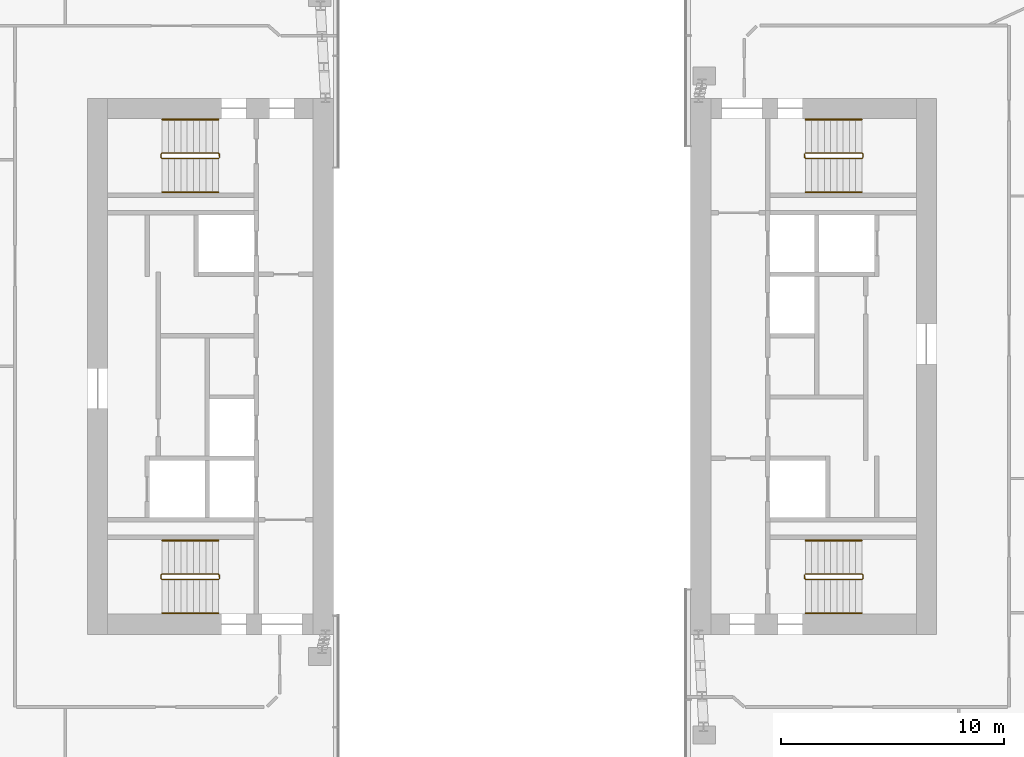
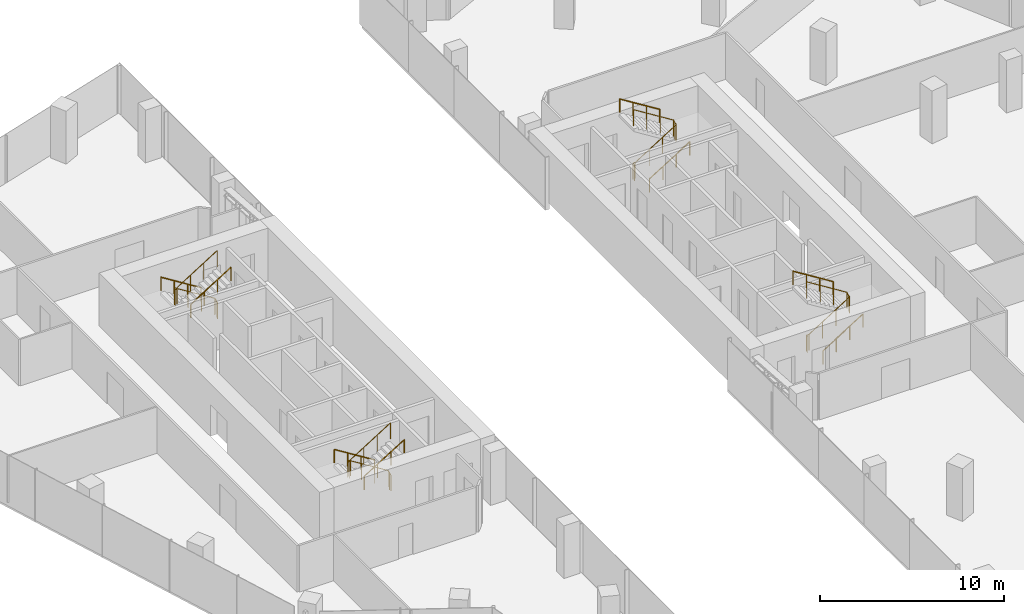
# One storey, part 22 of 23: 12 railings.
"""IFC4 building model written with IfcOpenShell, lengths in metres."""

from ifc_helpers import new_model, si_unit, direction, frame, origin, origin_2d, place, context, subcontext, project, spatial, circle, extrude, material, type_object, element, save


model = new_model("IFC4")

# Units and contexts
model_context = context("Model", 3, precision=1e-05, world=origin(), true_north=direction((0.0, 1.0)))
body_context = subcontext(model_context, "Body", "Model", "MODEL_VIEW")
ifc_project = project(units=[si_unit("LENGTHUNIT", "METRE"), si_unit("AREAUNIT", "SQUARE_METRE"), si_unit("VOLUMEUNIT", "CUBIC_METRE"), si_unit("PLANEANGLEUNIT", "RADIAN"), si_unit("MASSUNIT", "GRAM", prefix="KILO")], contexts=[model_context])

# Site, building, storey
site_placement = place(None, origin())
site = spatial("IfcSite", under=ifc_project, at=site_placement, CompositionType="ELEMENT")
building_placement = place(site_placement, origin())
building = spatial("IfcBuilding", under=site, at=building_placement, Name="Orlundy Tower", CompositionType="ELEMENT")
storey_placement = place(building_placement, frame((0.0, 0.0, 264.0)))
storey = spatial("IfcBuildingStorey", under=building, at=storey_placement, Name="L70", CompositionType="ELEMENT", Elevation=264.0)

# Railings
ifc_material_1 = material(Name="Steel balustrade", Category="steel")
railing_type_1 = type_object("IfcRailingType", Name="Stair Guard 1100", PredefinedType="GUARDRAIL", material=ifc_material_1)
railing_1_placement = place(storey_placement, frame((-13.090087890625, 9.5, 0.0)))
element("IfcRailing", 1, at=railing_1_placement, inside=storey, type_object=railing_type_1, Name="L70 ST-W1 stair guard 1", PredefinedType="GUARDRAIL", context=body_context, shape_type="SweptSolid", body=[
    extrude(circle(Radius=0.02392578125, at=origin_2d()), frame((0.0, 0.0, 1.076171875), z_axis=(0.0, -1.0, 0.0), x_axis=(1.0, 0.0, 0.0)), (0.0, 0.0, 1.0), 0.14990234375),
    extrude(circle(Radius=0.02392578125, at=origin_2d()), frame((0.0, -0.14990234375, 1.076171875), z_axis=(-0.18420542264, 0.739530593833, 0.647427882513), x_axis=(-0.970351222016, -0.241699205484, 0.0)), (0.0, 0.0, 1.0), 0.270263671875),
    extrude(circle(Radius=0.02392578125, at=origin_2d()), frame((-0.0498046875, 0.050048828125, 1.2509765625), z_axis=(-0.848007534815, 0.0, 0.529984170421), x_axis=(0.0, -1.0, 0.0)), (0.0, 0.0, 1.0), 2.9716796875),
    extrude(circle(Radius=0.02392578125, at=origin_2d()), frame((-2.56982421875, 0.050048828125, 2.826171875), z_axis=(-0.707106781187, -0.707106781187, 0.0), x_axis=(0.707106781187, -0.707106781187, 0.0)), (0.0, 0.0, 1.0), 0.07080078125),
    extrude(circle(Radius=0.02392578125, at=origin_2d()), frame((-2.619873046875, 0.0, 2.826171875), z_axis=(0.0, -1.0, 0.0), x_axis=(1.0, 0.0, 0.0)), (0.0, 0.0, 1.0), 0.14990234375),
    extrude(circle(Radius=0.02392578125, at=origin_2d()), frame((-2.619873046875, -0.14990234375, 2.826171875), z_axis=(0.265065253269, -0.265065253269, 0.927081885822), x_axis=(0.707106781187, 0.707106781187, 0.0)), (0.0, 0.0, 1.0), 0.188720703125),
    extrude(circle(Radius=0.02392578125, at=origin_2d()), frame((-2.56982421875, -0.199951171875, 3.0009765625), z_axis=(0.848007534815, 0.0, 0.529984170421), x_axis=(0.0, 1.0, 0.0)), (0.0, 0.0, 1.0), 2.9716796875),
    extrude(circle(Radius=0.02099609375, at=origin_2d()), origin(), (0.0, 0.0, 1.0), 1.052001953125),
    extrude(circle(Radius=0.02099609375, at=origin_2d()), frame((0.0, -0.14990234375, 0.0)), (0.0, 0.0, 1.0), 1.052001953125),
    extrude(circle(Radius=0.02099609375, at=origin_2d()), frame((-0.0498046875, 0.050048828125, 0.175048828125)), (0.0, 0.0, 1.0), 1.052001953125),
    extrude(circle(Radius=0.02099609375, at=origin_2d()), frame((-0.889892578125, 0.050048828125, 0.699951171875)), (0.0, 0.0, 1.0), 1.052001953125),
    extrude(circle(Radius=0.02099609375, at=origin_2d()), frame((-1.729736328125, 0.050048828125, 1.22509765625)), (0.0, 0.0, 1.0), 1.052001953125),
    extrude(circle(Radius=0.02099609375, at=origin_2d()), frame((-2.56982421875, 0.050048828125, 1.75)), (0.0, 0.0, 1.0), 1.052001953125),
    extrude(circle(Radius=0.02099609375, at=origin_2d()), frame((-2.619873046875, 0.0, 1.75)), (0.0, 0.0, 1.0), 1.052001953125),
    extrude(circle(Radius=0.02099609375, at=origin_2d()), frame((-2.619873046875, -0.14990234375, 1.75)), (0.0, 0.0, 1.0), 1.052001953125),
    extrude(circle(Radius=0.02099609375, at=origin_2d()), frame((-2.56982421875, -0.199951171875, 1.925048828125)), (0.0, 0.0, 1.0), 1.052001953125),
    extrude(circle(Radius=0.02099609375, at=origin_2d()), frame((-1.729736328125, -0.199951171875, 2.449951171875)), (0.0, 0.0, 1.0), 1.052001953125),
    extrude(circle(Radius=0.02099609375, at=origin_2d()), frame((-0.889892578125, -0.199951171875, 2.97509765625)), (0.0, 0.0, 1.0), 1.052001953125),
    extrude(circle(Radius=0.02099609375, at=origin_2d()), frame((-0.0498046875, -0.199951171875, 3.5)), (0.0, 0.0, 1.0), 1.052001953125),
])
railing_2_placement = place(storey_placement, frame((-13.090087890625, -9.35009765625, 0.0)))
element("IfcRailing", 2, at=railing_2_placement, inside=storey, type_object=railing_type_1, Name="L70 ST-W2 stair guard 1", PredefinedType="GUARDRAIL", context=body_context, shape_type="SweptSolid", body=[
    extrude(circle(Radius=0.02392578125, at=origin_2d()), frame((0.0, 0.0, 1.076171875), z_axis=(0.0, -1.0, 0.0), x_axis=(1.0, 0.0, 0.0)), (0.0, 0.0, 1.0), 0.14990234375),
    extrude(circle(Radius=0.02392578125, at=origin_2d()), frame((0.0, -0.14990234375, 1.076171875), z_axis=(-0.18420542264, 0.739530593833, 0.647427882513), x_axis=(-0.970351222016, -0.241699205484, 0.0)), (0.0, 0.0, 1.0), 0.270263671875),
    extrude(circle(Radius=0.02392578125, at=origin_2d()), frame((-0.0498046875, 0.050048828125, 1.2509765625), z_axis=(-0.848007534815, 0.0, 0.529984170421), x_axis=(0.0, -1.0, 0.0)), (0.0, 0.0, 1.0), 2.9716796875),
    extrude(circle(Radius=0.02392578125, at=origin_2d()), frame((-2.56982421875, 0.050048828125, 2.826171875), z_axis=(-0.707106781187, -0.707106781187, 0.0), x_axis=(0.707106781187, -0.707106781187, 0.0)), (0.0, 0.0, 1.0), 0.07080078125),
    extrude(circle(Radius=0.02392578125, at=origin_2d()), frame((-2.619873046875, 0.0, 2.826171875), z_axis=(0.0, -1.0, 0.0), x_axis=(1.0, 0.0, 0.0)), (0.0, 0.0, 1.0), 0.14990234375),
    extrude(circle(Radius=0.02392578125, at=origin_2d()), frame((-2.619873046875, -0.14990234375, 2.826171875), z_axis=(0.265065253269, -0.265065253269, 0.927081885822), x_axis=(0.707106781187, 0.707106781187, 0.0)), (0.0, 0.0, 1.0), 0.188720703125),
    extrude(circle(Radius=0.02392578125, at=origin_2d()), frame((-2.56982421875, -0.199951171875, 3.0009765625), z_axis=(0.848007534815, 0.0, 0.529984170421), x_axis=(0.0, 1.0, 0.0)), (0.0, 0.0, 1.0), 2.9716796875),
    extrude(circle(Radius=0.02099609375, at=origin_2d()), origin(), (0.0, 0.0, 1.0), 1.052001953125),
    extrude(circle(Radius=0.02099609375, at=origin_2d()), frame((0.0, -0.14990234375, 0.0)), (0.0, 0.0, 1.0), 1.052001953125),
    extrude(circle(Radius=0.02099609375, at=origin_2d()), frame((-0.0498046875, 0.050048828125, 0.175048828125)), (0.0, 0.0, 1.0), 1.052001953125),
    extrude(circle(Radius=0.02099609375, at=origin_2d()), frame((-0.889892578125, 0.050048828125, 0.699951171875)), (0.0, 0.0, 1.0), 1.052001953125),
    extrude(circle(Radius=0.02099609375, at=origin_2d()), frame((-1.729736328125, 0.050048828125, 1.22509765625)), (0.0, 0.0, 1.0), 1.052001953125),
    extrude(circle(Radius=0.02099609375, at=origin_2d()), frame((-2.56982421875, 0.050048828125, 1.75)), (0.0, 0.0, 1.0), 1.052001953125),
    extrude(circle(Radius=0.02099609375, at=origin_2d()), frame((-2.619873046875, 0.0, 1.75)), (0.0, 0.0, 1.0), 1.052001953125),
    extrude(circle(Radius=0.02099609375, at=origin_2d()), frame((-2.619873046875, -0.14990234375, 1.75)), (0.0, 0.0, 1.0), 1.052001953125),
    extrude(circle(Radius=0.02099609375, at=origin_2d()), frame((-2.56982421875, -0.199951171875, 1.925048828125)), (0.0, 0.0, 1.0), 1.052001953125),
    extrude(circle(Radius=0.02099609375, at=origin_2d()), frame((-1.729736328125, -0.199951171875, 2.449951171875)), (0.0, 0.0, 1.0), 1.052001953125),
    extrude(circle(Radius=0.02099609375, at=origin_2d()), frame((-0.889892578125, -0.199951171875, 2.97509765625)), (0.0, 0.0, 1.0), 1.052001953125),
    extrude(circle(Radius=0.02099609375, at=origin_2d()), frame((-0.0498046875, -0.199951171875, 3.5)), (0.0, 0.0, 1.0), 1.052001953125),
])
railing_3_placement = place(storey_placement, frame((13.090087890625, -9.5, 0.0)))
element("IfcRailing", 3, at=railing_3_placement, inside=storey, type_object=railing_type_1, Name="L70 ST-E1 stair guard 1", PredefinedType="GUARDRAIL", context=body_context, shape_type="SweptSolid", body=[
    extrude(circle(Radius=0.02392578125, at=origin_2d()), frame((0.0, 0.0, 1.076171875), z_axis=(0.0, 1.0, 0.0), x_axis=(-1.0, 0.0, 0.0)), (0.0, 0.0, 1.0), 0.14990234375),
    extrude(circle(Radius=0.02392578125, at=origin_2d()), frame((0.0, 0.14990234375, 1.076171875), z_axis=(0.18420542264, -0.739530593833, 0.647427882513), x_axis=(0.970351222016, 0.241699205484, 0.0)), (0.0, 0.0, 1.0), 0.270263671875),
    extrude(circle(Radius=0.02392578125, at=origin_2d()), frame((0.0498046875, -0.050048828125, 1.2509765625), z_axis=(0.848007534815, 0.0, 0.529984170421), x_axis=(0.0, 1.0, 0.0)), (0.0, 0.0, 1.0), 2.9716796875),
    extrude(circle(Radius=0.02392578125, at=origin_2d()), frame((2.56982421875, -0.050048828125, 2.826171875), z_axis=(0.707106781187, 0.707106781187, 0.0), x_axis=(-0.707106781187, 0.707106781187, 0.0)), (0.0, 0.0, 1.0), 0.07080078125),
    extrude(circle(Radius=0.02392578125, at=origin_2d()), frame((2.619873046875, 0.0, 2.826171875), z_axis=(0.0, 1.0, 0.0), x_axis=(-1.0, 0.0, 0.0)), (0.0, 0.0, 1.0), 0.14990234375),
    extrude(circle(Radius=0.02392578125, at=origin_2d()), frame((2.619873046875, 0.14990234375, 2.826171875), z_axis=(-0.265065253269, 0.265065253269, 0.927081885822), x_axis=(-0.707106781187, -0.707106781187, 0.0)), (0.0, 0.0, 1.0), 0.188720703125),
    extrude(circle(Radius=0.02392578125, at=origin_2d()), frame((2.56982421875, 0.199951171875, 3.0009765625), z_axis=(-0.848007534815, 0.0, 0.529984170421), x_axis=(0.0, -1.0, 0.0)), (0.0, 0.0, 1.0), 2.9716796875),
    extrude(circle(Radius=0.02099609375, at=origin_2d()), origin(), (0.0, 0.0, 1.0), 1.052001953125),
    extrude(circle(Radius=0.02099609375, at=origin_2d()), frame((0.0, 0.14990234375, 0.0)), (0.0, 0.0, 1.0), 1.052001953125),
    extrude(circle(Radius=0.02099609375, at=origin_2d()), frame((0.0498046875, -0.050048828125, 0.175048828125)), (0.0, 0.0, 1.0), 1.052001953125),
    extrude(circle(Radius=0.02099609375, at=origin_2d()), frame((0.889892578125, -0.050048828125, 0.699951171875)), (0.0, 0.0, 1.0), 1.052001953125),
    extrude(circle(Radius=0.02099609375, at=origin_2d()), frame((1.729736328125, -0.050048828125, 1.22509765625)), (0.0, 0.0, 1.0), 1.052001953125),
    extrude(circle(Radius=0.02099609375, at=origin_2d()), frame((2.56982421875, -0.050048828125, 1.75)), (0.0, 0.0, 1.0), 1.052001953125),
    extrude(circle(Radius=0.02099609375, at=origin_2d()), frame((2.619873046875, 0.0, 1.75)), (0.0, 0.0, 1.0), 1.052001953125),
    extrude(circle(Radius=0.02099609375, at=origin_2d()), frame((2.619873046875, 0.14990234375, 1.75)), (0.0, 0.0, 1.0), 1.052001953125),
    extrude(circle(Radius=0.02099609375, at=origin_2d()), frame((2.56982421875, 0.199951171875, 1.925048828125)), (0.0, 0.0, 1.0), 1.052001953125),
    extrude(circle(Radius=0.02099609375, at=origin_2d()), frame((1.729736328125, 0.199951171875, 2.449951171875)), (0.0, 0.0, 1.0), 1.052001953125),
    extrude(circle(Radius=0.02099609375, at=origin_2d()), frame((0.889892578125, 0.199951171875, 2.97509765625)), (0.0, 0.0, 1.0), 1.052001953125),
    extrude(circle(Radius=0.02099609375, at=origin_2d()), frame((0.0498046875, 0.199951171875, 3.5)), (0.0, 0.0, 1.0), 1.052001953125),
])
railing_4_placement = place(storey_placement, frame((13.090087890625, 9.35009765625, 0.0)))
element("IfcRailing", 4, at=railing_4_placement, inside=storey, type_object=railing_type_1, Name="L70 ST-E2 stair guard 1", PredefinedType="GUARDRAIL", context=body_context, shape_type="SweptSolid", body=[
    extrude(circle(Radius=0.02392578125, at=origin_2d()), frame((0.0, 0.0, 1.076171875), z_axis=(0.0, 1.0, 0.0), x_axis=(-1.0, 0.0, 0.0)), (0.0, 0.0, 1.0), 0.14990234375),
    extrude(circle(Radius=0.02392578125, at=origin_2d()), frame((0.0, 0.14990234375, 1.076171875), z_axis=(0.18420542264, -0.739530593833, 0.647427882513), x_axis=(0.970351222016, 0.241699205484, 0.0)), (0.0, 0.0, 1.0), 0.270263671875),
    extrude(circle(Radius=0.02392578125, at=origin_2d()), frame((0.0498046875, -0.050048828125, 1.2509765625), z_axis=(0.848007534815, 0.0, 0.529984170421), x_axis=(0.0, 1.0, 0.0)), (0.0, 0.0, 1.0), 2.9716796875),
    extrude(circle(Radius=0.02392578125, at=origin_2d()), frame((2.56982421875, -0.050048828125, 2.826171875), z_axis=(0.707106781187, 0.707106781187, 0.0), x_axis=(-0.707106781187, 0.707106781187, 0.0)), (0.0, 0.0, 1.0), 0.07080078125),
    extrude(circle(Radius=0.02392578125, at=origin_2d()), frame((2.619873046875, 0.0, 2.826171875), z_axis=(0.0, 1.0, 0.0), x_axis=(-1.0, 0.0, 0.0)), (0.0, 0.0, 1.0), 0.14990234375),
    extrude(circle(Radius=0.02392578125, at=origin_2d()), frame((2.619873046875, 0.14990234375, 2.826171875), z_axis=(-0.265065253269, 0.265065253269, 0.927081885822), x_axis=(-0.707106781187, -0.707106781187, 0.0)), (0.0, 0.0, 1.0), 0.188720703125),
    extrude(circle(Radius=0.02392578125, at=origin_2d()), frame((2.56982421875, 0.199951171875, 3.0009765625), z_axis=(-0.848007534815, 0.0, 0.529984170421), x_axis=(0.0, -1.0, 0.0)), (0.0, 0.0, 1.0), 2.9716796875),
    extrude(circle(Radius=0.02099609375, at=origin_2d()), origin(), (0.0, 0.0, 1.0), 1.052001953125),
    extrude(circle(Radius=0.02099609375, at=origin_2d()), frame((0.0, 0.14990234375, 0.0)), (0.0, 0.0, 1.0), 1.052001953125),
    extrude(circle(Radius=0.02099609375, at=origin_2d()), frame((0.0498046875, -0.050048828125, 0.175048828125)), (0.0, 0.0, 1.0), 1.052001953125),
    extrude(circle(Radius=0.02099609375, at=origin_2d()), frame((0.889892578125, -0.050048828125, 0.699951171875)), (0.0, 0.0, 1.0), 1.052001953125),
    extrude(circle(Radius=0.02099609375, at=origin_2d()), frame((1.729736328125, -0.050048828125, 1.22509765625)), (0.0, 0.0, 1.0), 1.052001953125),
    extrude(circle(Radius=0.02099609375, at=origin_2d()), frame((2.56982421875, -0.050048828125, 1.75)), (0.0, 0.0, 1.0), 1.052001953125),
    extrude(circle(Radius=0.02099609375, at=origin_2d()), frame((2.619873046875, 0.0, 1.75)), (0.0, 0.0, 1.0), 1.052001953125),
    extrude(circle(Radius=0.02099609375, at=origin_2d()), frame((2.619873046875, 0.14990234375, 1.75)), (0.0, 0.0, 1.0), 1.052001953125),
    extrude(circle(Radius=0.02099609375, at=origin_2d()), frame((2.56982421875, 0.199951171875, 1.925048828125)), (0.0, 0.0, 1.0), 1.052001953125),
    extrude(circle(Radius=0.02099609375, at=origin_2d()), frame((1.729736328125, 0.199951171875, 2.449951171875)), (0.0, 0.0, 1.0), 1.052001953125),
    extrude(circle(Radius=0.02099609375, at=origin_2d()), frame((0.889892578125, 0.199951171875, 2.97509765625)), (0.0, 0.0, 1.0), 1.052001953125),
    extrude(circle(Radius=0.02099609375, at=origin_2d()), frame((0.0498046875, 0.199951171875, 3.5)), (0.0, 0.0, 1.0), 1.052001953125),
])
ifc_material_2 = material(Name="Steel handrail", Category="steel")
railing_type_2 = type_object("IfcRailingType", Name="Stair Handrail 900", PredefinedType="HANDRAIL", material=ifc_material_2)
railing_5_placement = place(storey_placement, frame((-13.139892578125, 11.050048828125, 0.175048828125)))
element("IfcRailing", 5, at=railing_5_placement, inside=storey, type_object=railing_type_2, Name="L70 ST-W1 stair handrail 1", PredefinedType="HANDRAIL", context=body_context, shape_type="SweptSolid", body=[
    extrude(circle(Radius=0.02392578125, at=origin_2d()), frame((0.0, 0.0, 0.8759765625), z_axis=(-0.848007534815, 0.0, 0.529984170421), x_axis=(0.0, -1.0, 0.0)), (0.0, 0.0, 1.0), 2.9716796875),
    extrude(circle(Radius=0.02099609375, at=origin_2d()), origin(), (0.0, 0.0, 1.0), 0.851806640625),
    extrude(circle(Radius=0.02099609375, at=origin_2d()), frame((-0.840087890625, 0.0, 0.52490234375)), (0.0, 0.0, 1.0), 0.851806640625),
    extrude(circle(Radius=0.02099609375, at=origin_2d()), frame((-1.679931640625, 0.0, 1.050048828125)), (0.0, 0.0, 1.0), 0.851806640625),
    extrude(circle(Radius=0.02099609375, at=origin_2d()), frame((-2.52001953125, 0.0, 1.574951171875)), (0.0, 0.0, 1.0), 0.851806640625),
])
railing_6_placement = place(storey_placement, frame((-15.659912109375, 7.800048828125, 1.925048828125)))
element("IfcRailing", 6, at=railing_6_placement, inside=storey, type_object=railing_type_2, Name="L70 ST-W1 stair handrail 2", PredefinedType="HANDRAIL", context=body_context, shape_type="SweptSolid", body=[
    extrude(circle(Radius=0.02392578125, at=origin_2d()), frame((0.0, 0.0, 0.8759765625), z_axis=(0.848007534815, 0.0, 0.529984170421), x_axis=(0.0, 1.0, 0.0)), (0.0, 0.0, 1.0), 2.9716796875),
    extrude(circle(Radius=0.02099609375, at=origin_2d()), origin(), (0.0, 0.0, 1.0), 0.851806640625),
    extrude(circle(Radius=0.02099609375, at=origin_2d()), frame((0.840087890625, 0.0, 0.52490234375)), (0.0, 0.0, 1.0), 0.851806640625),
    extrude(circle(Radius=0.02099609375, at=origin_2d()), frame((1.679931640625, 0.0, 1.050048828125)), (0.0, 0.0, 1.0), 0.851806640625),
    extrude(circle(Radius=0.02099609375, at=origin_2d()), frame((2.52001953125, 0.0, 1.574951171875)), (0.0, 0.0, 1.0), 0.851806640625),
])
railing_7_placement = place(storey_placement, frame((-13.139892578125, -7.800048828125, 0.175048828125)))
element("IfcRailing", 7, at=railing_7_placement, inside=storey, type_object=railing_type_2, Name="L70 ST-W2 stair handrail 1", PredefinedType="HANDRAIL", context=body_context, shape_type="SweptSolid", body=[
    extrude(circle(Radius=0.02392578125, at=origin_2d()), frame((0.0, 0.0, 0.8759765625), z_axis=(-0.848007534815, 0.0, 0.529984170421), x_axis=(0.0, -1.0, 0.0)), (0.0, 0.0, 1.0), 2.9716796875),
    extrude(circle(Radius=0.02099609375, at=origin_2d()), origin(), (0.0, 0.0, 1.0), 0.851806640625),
    extrude(circle(Radius=0.02099609375, at=origin_2d()), frame((-0.840087890625, 0.0, 0.52490234375)), (0.0, 0.0, 1.0), 0.851806640625),
    extrude(circle(Radius=0.02099609375, at=origin_2d()), frame((-1.679931640625, 0.0, 1.050048828125)), (0.0, 0.0, 1.0), 0.851806640625),
    extrude(circle(Radius=0.02099609375, at=origin_2d()), frame((-2.52001953125, 0.0, 1.574951171875)), (0.0, 0.0, 1.0), 0.851806640625),
])
for number, where, name in (
    (8, (-15.659912109375, -11.050048828125, 1.925048828125), "L70 ST-W2 stair handrail 2"),
    (9, (13.139892578125, -11.050048828125, 0.175048828125), "L70 ST-E1 stair handrail 1"),
):
    element("IfcRailing", number, at=place(storey_placement, frame(where)), inside=storey, type_object=railing_type_2, Name=name, PredefinedType="HANDRAIL", context=body_context, shape_type="SweptSolid", body=[
        extrude(circle(Radius=0.02392578125, at=origin_2d()), frame((0.0, 0.0, 0.8759765625), z_axis=(0.848007534815, 0.0, 0.529984170421), x_axis=(0.0, 1.0, 0.0)), (0.0, 0.0, 1.0), 2.9716796875),
        extrude(circle(Radius=0.02099609375, at=origin_2d()), origin(), (0.0, 0.0, 1.0), 0.851806640625),
        extrude(circle(Radius=0.02099609375, at=origin_2d()), frame((0.840087890625, 0.0, 0.52490234375)), (0.0, 0.0, 1.0), 0.851806640625),
        extrude(circle(Radius=0.02099609375, at=origin_2d()), frame((1.679931640625, 0.0, 1.050048828125)), (0.0, 0.0, 1.0), 0.851806640625),
        extrude(circle(Radius=0.02099609375, at=origin_2d()), frame((2.52001953125, 0.0, 1.574951171875)), (0.0, 0.0, 1.0), 0.851806640625),
    ])
railing_8_placement = place(storey_placement, frame((15.659912109375, -7.800048828125, 1.925048828125)))
element("IfcRailing", 10, at=railing_8_placement, inside=storey, type_object=railing_type_2, Name="L70 ST-E1 stair handrail 2", PredefinedType="HANDRAIL", context=body_context, shape_type="SweptSolid", body=[
    extrude(circle(Radius=0.02392578125, at=origin_2d()), frame((0.0, 0.0, 0.8759765625), z_axis=(-0.848007534815, 0.0, 0.529984170421), x_axis=(0.0, -1.0, 0.0)), (0.0, 0.0, 1.0), 2.9716796875),
    extrude(circle(Radius=0.02099609375, at=origin_2d()), origin(), (0.0, 0.0, 1.0), 0.851806640625),
    extrude(circle(Radius=0.02099609375, at=origin_2d()), frame((-0.840087890625, 0.0, 0.52490234375)), (0.0, 0.0, 1.0), 0.851806640625),
    extrude(circle(Radius=0.02099609375, at=origin_2d()), frame((-1.679931640625, 0.0, 1.050048828125)), (0.0, 0.0, 1.0), 0.851806640625),
    extrude(circle(Radius=0.02099609375, at=origin_2d()), frame((-2.52001953125, 0.0, 1.574951171875)), (0.0, 0.0, 1.0), 0.851806640625),
])
railing_9_placement = place(storey_placement, frame((13.139892578125, 7.800048828125, 0.175048828125)))
element("IfcRailing", 11, at=railing_9_placement, inside=storey, type_object=railing_type_2, Name="L70 ST-E2 stair handrail 1", PredefinedType="HANDRAIL", context=body_context, shape_type="SweptSolid", body=[
    extrude(circle(Radius=0.02392578125, at=origin_2d()), frame((0.0, 0.0, 0.8759765625), z_axis=(0.848007534815, 0.0, 0.529984170421), x_axis=(0.0, 1.0, 0.0)), (0.0, 0.0, 1.0), 2.9716796875),
    extrude(circle(Radius=0.02099609375, at=origin_2d()), origin(), (0.0, 0.0, 1.0), 0.851806640625),
    extrude(circle(Radius=0.02099609375, at=origin_2d()), frame((0.840087890625, 0.0, 0.52490234375)), (0.0, 0.0, 1.0), 0.851806640625),
    extrude(circle(Radius=0.02099609375, at=origin_2d()), frame((1.679931640625, 0.0, 1.050048828125)), (0.0, 0.0, 1.0), 0.851806640625),
    extrude(circle(Radius=0.02099609375, at=origin_2d()), frame((2.52001953125, 0.0, 1.574951171875)), (0.0, 0.0, 1.0), 0.851806640625),
])
railing_10_placement = place(storey_placement, frame((15.659912109375, 11.050048828125, 1.925048828125)))
element("IfcRailing", 12, at=railing_10_placement, inside=storey, type_object=railing_type_2, Name="L70 ST-E2 stair handrail 2", PredefinedType="HANDRAIL", context=body_context, shape_type="SweptSolid", body=[
    extrude(circle(Radius=0.02392578125, at=origin_2d()), frame((0.0, 0.0, 0.8759765625), z_axis=(-0.848007534815, 0.0, 0.529984170421), x_axis=(0.0, -1.0, 0.0)), (0.0, 0.0, 1.0), 2.9716796875),
    extrude(circle(Radius=0.02099609375, at=origin_2d()), origin(), (0.0, 0.0, 1.0), 0.851806640625),
    extrude(circle(Radius=0.02099609375, at=origin_2d()), frame((-0.840087890625, 0.0, 0.52490234375)), (0.0, 0.0, 1.0), 0.851806640625),
    extrude(circle(Radius=0.02099609375, at=origin_2d()), frame((-1.679931640625, 0.0, 1.050048828125)), (0.0, 0.0, 1.0), 0.851806640625),
    extrude(circle(Radius=0.02099609375, at=origin_2d()), frame((-2.52001953125, 0.0, 1.574951171875)), (0.0, 0.0, 1.0), 0.851806640625),
])

save(model, "model.ifc")
